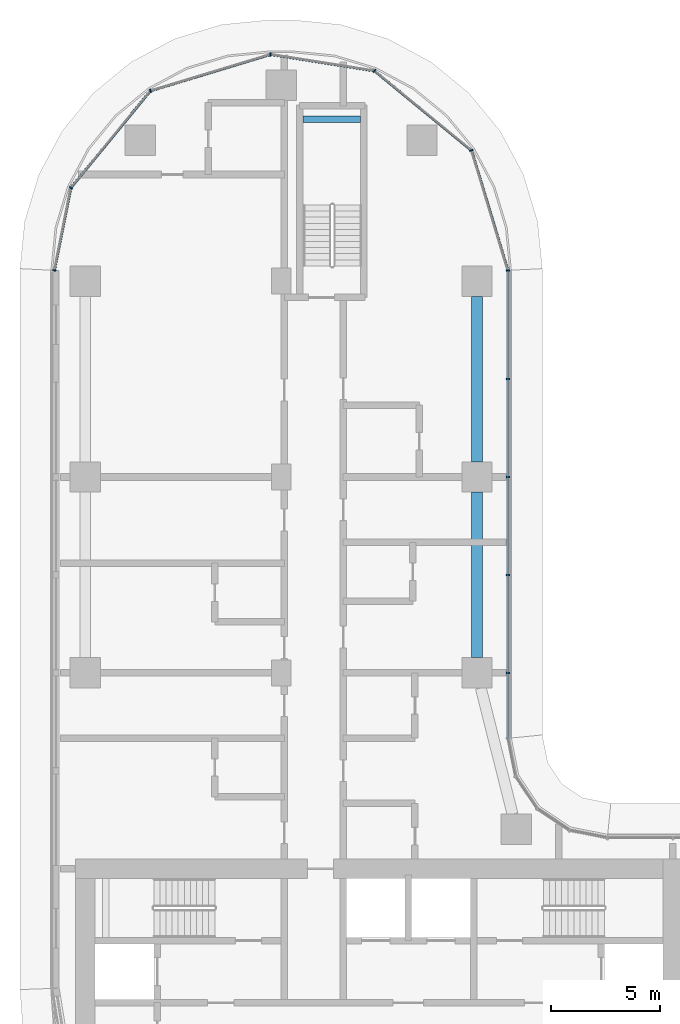
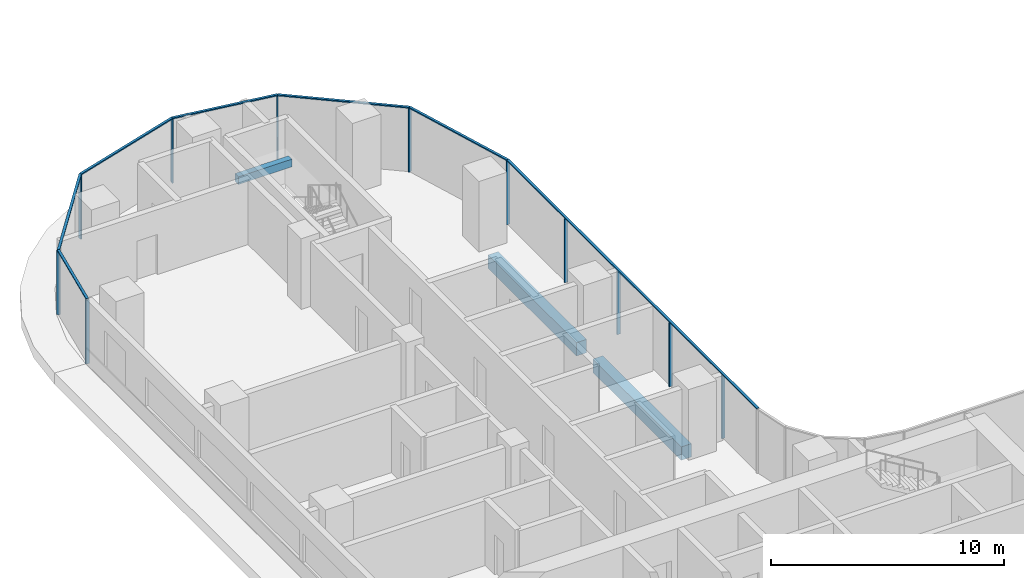
# One storey, part 6 of 36: 18 members, 3 beams, 2 elements without a shape of their own.
"""IFC4 building model written with IfcOpenShell, lengths in metres."""

from ifc_helpers import new_model, si_unit, direction, frame, origin, origin_2d, place, context, subcontext, project, spatial, rectangle, extrude, material, material_profile, profile_set, type_object, element, aggregate, save


model = new_model("IFC4")

# Units and contexts
model_context = context("Model", 3, precision=1e-05, world=origin(), true_north=direction((0.0, 1.0)))
body_context = subcontext(model_context, "Body", "Model", "MODEL_VIEW")
ifc_project = project(units=[si_unit("LENGTHUNIT", "METRE"), si_unit("AREAUNIT", "SQUARE_METRE"), si_unit("VOLUMEUNIT", "CUBIC_METRE"), si_unit("PLANEANGLEUNIT", "RADIAN"), si_unit("MASSUNIT", "GRAM", prefix="KILO")], contexts=[model_context])

# Site, building, storey
site_placement = place(None, origin())
site = spatial("IfcSite", under=ifc_project, at=site_placement, CompositionType="ELEMENT")
building_placement = place(site_placement, origin())
building = spatial("IfcBuilding", under=site, at=building_placement, Name="Ogive Portal Towers", CompositionType="ELEMENT")
storey_placement = place(building_placement, frame((0.0, 0.0, 70.5)))
storey = spatial("IfcBuildingStorey", under=building, at=storey_placement, Name="L16", CompositionType="ELEMENT", Elevation=70.5)

# Beam
ifc_material_1 = material(Name="Concrete C40/50", Category="concrete")
ifc_material_profile_1 = material_profile(ifc_material_1, rectangle(XDim=0.300048828125, YDim=0.39990234375, at=origin_2d()), Name="RC 300x400")
ifc_profile_set_1 = profile_set([ifc_material_profile_1], Name="Concrete C40/50")
beam_type_1 = type_object("IfcBeamType", Name="BEAM RC 300x400", PredefinedType="BEAM", material=ifc_profile_set_1)
beam_placement = place(storey_placement, frame((41.5, 73.949951171875, 1.449951171875), z_axis=(1.0, 0.0, 0.0), x_axis=(0.0, 1.0, 0.0)))
element("IfcBeam", 1, at=beam_placement, inside=storey, type_object=beam_type_1, Name="Landing beam L16", PredefinedType="BEAM", context=body_context, shape_type="SweptSolid", body=[
    extrude(rectangle(XDim=0.300048828125, YDim=0.39990234375, at=origin_2d()), origin(), (0.0, 0.0, 1.0), 2.64990234375),
])

# Curtain wall, members
ifc_material_2 = material(Name="Glass, clear low-iron insulated glazing", Category="glass")
curtain_wall_type = type_object("IfcCurtainWallType", Name="CW FRONT RIBBON 4500", PredefinedType="NOTDEFINED", material=ifc_material_2)
curtain_wall_1_placement = place(storey_placement, origin())
curtain_wall_1 = element("IfcCurtainWall", 2, at=curtain_wall_1_placement, inside=storey, type_object=curtain_wall_type, Name="A:L16:f17:cw0", PredefinedType="NOTDEFINED")
ifc_material_3 = material(Name="Aluminium 6063 anodised", Category="aluminium")
ifc_material_profile_2 = material_profile(ifc_material_3, rectangle(XDim=0.159912109375, YDim=0.06005859375, at=origin_2d()), Name="AL 60x160")
ifc_profile_set_2 = profile_set([ifc_material_profile_2], Name="Aluminium 6063 anodised")
member_type_1 = type_object("IfcMemberType", Name="CW MULLION 60x160", PredefinedType="MULLION", material=ifc_profile_set_2)
member_1_placement = place(storey_placement, frame((50.919921875, 48.5, 0.0), z_axis=(0.0, 0.0, 1.0), x_axis=(-1.0, 0.0, 0.0)))
member_1 = element("IfcMember", 3, at=member_1_placement, type_object=member_type_1, Name="mullion", PredefinedType="MULLION", context=body_context, shape_type="SweptSolid", body=[
    extrude(rectangle(XDim=0.159912109375, YDim=0.06005859375, at=origin_2d()), origin(), (0.0, 0.0, 1.0), 3.340087890625),
])
member_2_placement = place(storey_placement, frame((50.919921875, 53.0, 0.0), z_axis=(0.0, 0.0, 1.0), x_axis=(-1.0, 0.0, 0.0)))
member_2 = element("IfcMember", 4, at=member_2_placement, type_object=member_type_1, Name="mullion", PredefinedType="MULLION", context=body_context, shape_type="SweptSolid", body=[
    extrude(rectangle(XDim=0.159912109375, YDim=0.06005859375, at=origin_2d()), origin(), (0.0, 0.0, 1.0), 3.340087890625),
])
member_3_placement = place(storey_placement, frame((50.919921875, 57.5, 0.0), z_axis=(0.0, 0.0, 1.0), x_axis=(-1.0, 0.0, 0.0)))
member_3 = element("IfcMember", 5, at=member_3_placement, type_object=member_type_1, Name="mullion", PredefinedType="MULLION", context=body_context, shape_type="SweptSolid", body=[
    extrude(rectangle(XDim=0.159912109375, YDim=0.06005859375, at=origin_2d()), origin(), (0.0, 0.0, 1.0), 3.340087890625),
])
member_4_placement = place(storey_placement, frame((50.919921875, 62.0, 0.0), z_axis=(0.0, 0.0, 1.0), x_axis=(-1.0, 0.0, 0.0)))
member_4 = element("IfcMember", 6, at=member_4_placement, type_object=member_type_1, Name="mullion", PredefinedType="MULLION", context=body_context, shape_type="SweptSolid", body=[
    extrude(rectangle(XDim=0.159912109375, YDim=0.06005859375, at=origin_2d()), origin(), (0.0, 0.0, 1.0), 3.340087890625),
])
member_5_placement = place(storey_placement, frame((50.919921875, 66.988037109375, 0.0), z_axis=(0.0, 0.0, 1.0), x_axis=(-1.0, 0.0, 0.0)))
member_5 = element("IfcMember", 7, at=member_5_placement, type_object=member_type_1, Name="mullion", PredefinedType="MULLION", context=body_context, shape_type="SweptSolid", body=[
    extrude(rectangle(XDim=0.159912109375, YDim=0.06005859375, at=origin_2d()), origin(), (0.0, 0.0, 1.0), 3.340087890625),
])

curtain_wall_2_placement = place(storey_placement, origin())
curtain_wall_2 = element("IfcCurtainWall", 8, at=curtain_wall_2_placement, inside=storey, type_object=curtain_wall_type, Name="A:L16:f18:cwa", PredefinedType="NOTDEFINED")
member_6_placement = place(storey_placement, frame((49.2451171875, 72.50927734375, 0.0), z_axis=(0.0, 0.0, 1.0), x_axis=(-0.956940335732, -0.290284677254, 0.0)))
member_6 = element("IfcMember", 9, at=member_6_placement, type_object=member_type_1, Name="mullion", PredefinedType="MULLION", context=body_context, shape_type="SweptSolid", body=[
    extrude(rectangle(XDim=0.159912109375, YDim=0.06005859375, at=origin_2d()), origin(), (0.0, 0.0, 1.0), 3.340087890625),
])
member_7_placement = place(storey_placement, frame((44.79296875, 76.1630859375, 0.0), z_axis=(0.0, 0.0, 1.0), x_axis=(-0.634393284164, -0.773010453363, 0.0)))
member_7 = element("IfcMember", 10, at=member_7_placement, type_object=member_type_1, Name="mullion", PredefinedType="MULLION", context=body_context, shape_type="SweptSolid", body=[
    extrude(rectangle(XDim=0.159912109375, YDim=0.06005859375, at=origin_2d()), origin(), (0.0, 0.0, 1.0), 3.340087890625),
])
member_8_placement = place(storey_placement, frame((40.005615234375, 76.918212890625, 0.0), z_axis=(0.0, 0.0, 1.0), x_axis=(-0.155777466355, -0.987792174992, 0.0)))
member_8 = element("IfcMember", 11, at=member_8_placement, type_object=member_type_1, Name="mullion", PredefinedType="MULLION", context=body_context, shape_type="SweptSolid", body=[
    extrude(rectangle(XDim=0.159912109375, YDim=0.06005859375, at=origin_2d()), origin(), (0.0, 0.0, 1.0), 3.340087890625),
])
member_9_placement = place(storey_placement, frame((34.49072265625, 75.2451171875, 0.0), z_axis=(0.0, 0.0, 1.0), x_axis=(0.290284677254, -0.956940335732, 0.0)))
member_9 = element("IfcMember", 12, at=member_9_placement, type_object=member_type_1, Name="mullion", PredefinedType="MULLION", context=body_context, shape_type="SweptSolid", body=[
    extrude(rectangle(XDim=0.159912109375, YDim=0.06005859375, at=origin_2d()), origin(), (0.0, 0.0, 1.0), 3.340087890625),
])
member_10_placement = place(storey_placement, frame((30.835693359375, 70.79150390625, 0.0), z_axis=(0.0, 0.0, 1.0), x_axis=(0.773010453363, -0.634393284164, 0.0)))
member_10 = element("IfcMember", 13, at=member_10_placement, type_object=member_type_1, Name="mullion", PredefinedType="MULLION", context=body_context, shape_type="SweptSolid", body=[
    extrude(rectangle(XDim=0.159912109375, YDim=0.06005859375, at=origin_2d()), origin(), (0.0, 0.0, 1.0), 3.340087890625),
])
member_11_placement = place(storey_placement, frame((30.080078125, 66.9921875, 0.0), z_axis=(0.0, 0.0, 1.0), x_axis=(0.980785280403, -0.195090322016, 0.0)))
member_11 = element("IfcMember", 14, at=member_11_placement, type_object=member_type_1, Name="mullion", PredefinedType="MULLION", context=body_context, shape_type="SweptSolid", body=[
    extrude(rectangle(XDim=0.159912109375, YDim=0.06005859375, at=origin_2d()), origin(), (0.0, 0.0, 1.0), 3.340087890625),
])

# Member
ifc_material_profile_3 = material_profile(ifc_material_3, rectangle(XDim=0.1201171875, YDim=0.06005859375, at=origin_2d()), Name="AL 120x60")
ifc_profile_set_3 = profile_set([ifc_material_profile_3], Name="Aluminium 6063 anodised")
member_type_2 = type_object("IfcMemberType", Name="CW TRANSOM 60x120", PredefinedType="USERDEFINED", material=ifc_profile_set_3)
member_12_placement = place(storey_placement, frame((50.919921875, 45.4921875, 3.3701171875), z_axis=(0.0, 1.0, 0.0), x_axis=(-1.0, 0.0, 0.0)))
member_12 = element("IfcMember", 15, at=member_12_placement, type_object=member_type_2, Name="transom", ObjectType="TRANSOM", PredefinedType="USERDEFINED", context=body_context, shape_type="SweptSolid", body=[
    extrude(rectangle(XDim=0.1201171875, YDim=0.06005859375, at=origin_2d()), origin(), (0.0, 0.0, 1.0), 21.495849609375),
])

aggregate(curtain_wall_1, [member_12, member_1, member_2, member_3, member_4, member_5])

member_13_placement = place(storey_placement, frame((50.919921875, 66.988037109375, 3.3701171875), z_axis=(-0.290277499028, 0.956942513194, 0.0), x_axis=(-0.956942513194, -0.290277499028, 0.0)))
member_13 = element("IfcMember", 16, at=member_13_placement, type_object=member_type_2, Name="transom", ObjectType="TRANSOM", PredefinedType="USERDEFINED", context=body_context, shape_type="SweptSolid", body=[
    extrude(rectangle(XDim=0.1201171875, YDim=0.06005859375, at=origin_2d()), origin(), (0.0, 0.0, 1.0), 5.769775390625),
])

member_14_placement = place(storey_placement, frame((49.2451171875, 72.50927734375, 3.3701171875), z_axis=(-0.773008341981, 0.634395856881, 0.0), x_axis=(-0.634395856881, -0.773008341981, 0.0)))
member_14 = element("IfcMember", 17, at=member_14_placement, type_object=member_type_2, Name="transom", ObjectType="TRANSOM", PredefinedType="USERDEFINED", context=body_context, shape_type="SweptSolid", body=[
    extrude(rectangle(XDim=0.1201171875, YDim=0.06005859375, at=origin_2d()), origin(), (0.0, 0.0, 1.0), 5.759521484375),
])

member_15_placement = place(storey_placement, frame((44.79296875, 76.1630859375, 3.3701171875), z_axis=(-0.987787459497, 0.155807364589, 0.0), x_axis=(-0.155807364589, -0.987787459497, 0.0)))
member_15 = element("IfcMember", 18, at=member_15_placement, type_object=member_type_2, Name="transom", ObjectType="TRANSOM", PredefinedType="USERDEFINED", context=body_context, shape_type="SweptSolid", body=[
    extrude(rectangle(XDim=0.1201171875, YDim=0.06005859375, at=origin_2d()), origin(), (0.0, 0.0, 1.0), 4.846435546875),
])

member_16_placement = place(storey_placement, frame((40.005615234375, 76.918212890625, 3.3701171875), z_axis=(-0.956932077168, -0.290311900697, 0.0), x_axis=(0.290311900697, -0.956932077168, 0.0)))
member_16 = element("IfcMember", 19, at=member_16_placement, type_object=member_type_2, Name="transom", ObjectType="TRANSOM", PredefinedType="USERDEFINED", context=body_context, shape_type="SweptSolid", body=[
    extrude(rectangle(XDim=0.1201171875, YDim=0.06005859375, at=origin_2d()), origin(), (0.0, 0.0, 1.0), 5.76318359375),
])

member_17_placement = place(storey_placement, frame((34.49072265625, 75.2451171875, 3.3701171875), z_axis=(-0.63439777858, -0.773006764869, 0.0), x_axis=(0.773006764869, -0.63439777858, 0.0)))
member_17 = element("IfcMember", 20, at=member_17_placement, type_object=member_type_2, Name="transom", ObjectType="TRANSOM", PredefinedType="USERDEFINED", context=body_context, shape_type="SweptSolid", body=[
    extrude(rectangle(XDim=0.1201171875, YDim=0.06005859375, at=origin_2d()), origin(), (0.0, 0.0, 1.0), 5.761474609375),
])

member_18_placement = place(storey_placement, frame((30.835693359375, 70.79150390625, 3.3701171875), z_axis=(-0.195061569373, -0.980790999221, 0.0), x_axis=(0.980790999221, -0.195061569373, 0.0)))
member_18 = element("IfcMember", 21, at=member_18_placement, type_object=member_type_2, Name="transom", ObjectType="TRANSOM", PredefinedType="USERDEFINED", context=body_context, shape_type="SweptSolid", body=[
    extrude(rectangle(XDim=0.1201171875, YDim=0.06005859375, at=origin_2d()), origin(), (0.0, 0.0, 1.0), 3.873779296875),
])

aggregate(curtain_wall_2, [member_13, member_14, member_15, member_16, member_17, member_18, member_6, member_7, member_8, member_9, member_10, member_11])

# Beams
ifc_material_profile_4 = material_profile(ifc_material_1, rectangle(XDim=0.5, YDim=0.699951171875, at=origin_2d()), Name="RC 500x700")
ifc_profile_set_4 = profile_set([ifc_material_profile_4], Name="Concrete C40/50")
beam_type_2 = type_object("IfcBeamType", Name="SPANDREL BEAM RC 500x700", PredefinedType="BEAM", material=ifc_profile_set_4)
for number, where, z_axis, x_axis, name in (
    (22, (49.5, 65.800048828125, -0.64990234375), (0.0, -1.0, 0.0), (1.0, 0.0, 0.0), "Spandrel beam L16"),
    (23, (49.5, 56.800048828125, -0.64990234375), (0.0, -1.0, 0.0), (1.0, 0.0, 0.0), "Spandrel beam L16"),
):
    element("IfcBeam", number, at=place(storey_placement, frame(where, z_axis=z_axis, x_axis=x_axis)), inside=storey, type_object=beam_type_2, Name=name, PredefinedType="BEAM", context=body_context, shape_type="SweptSolid", body=[
        extrude(rectangle(XDim=0.5, YDim=0.699951171875, at=origin_2d()), origin(), (0.0, 0.0, 1.0), 7.60009765625),
    ])

save(model, "model.ifc")
